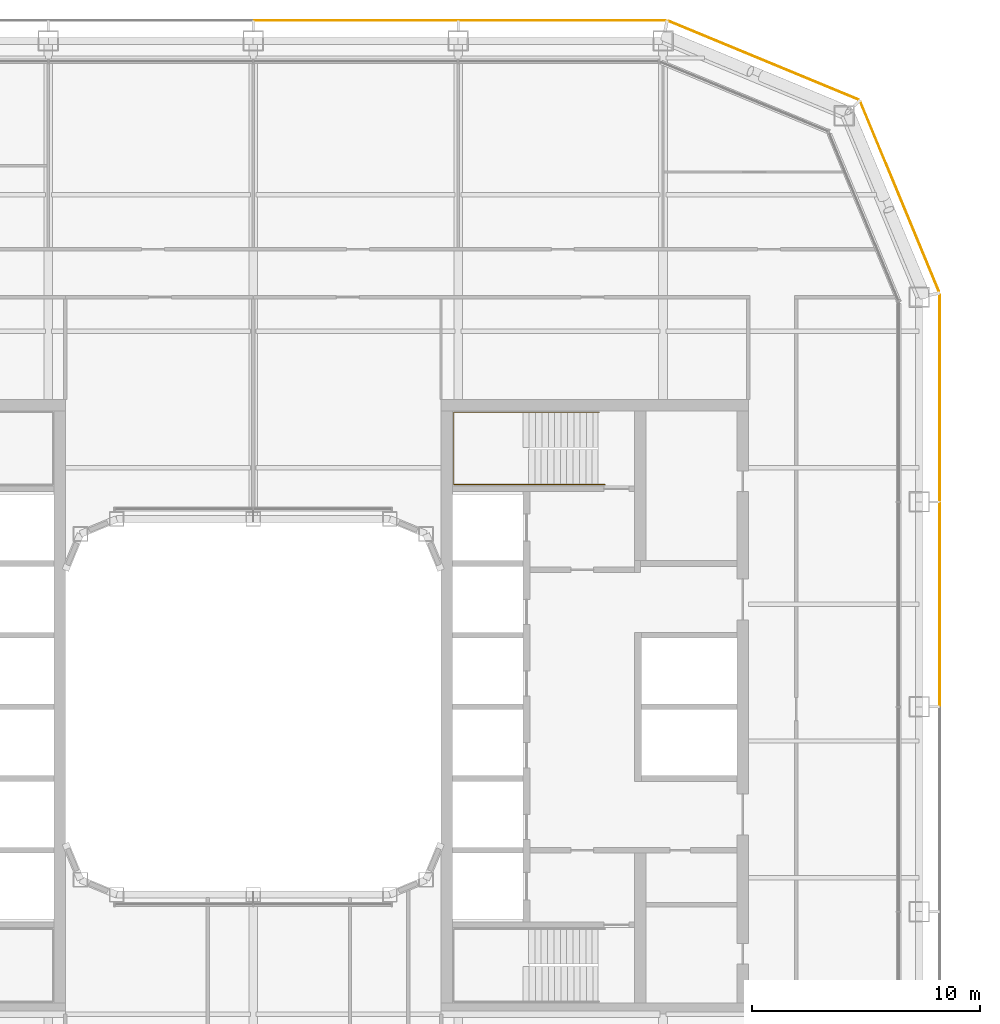
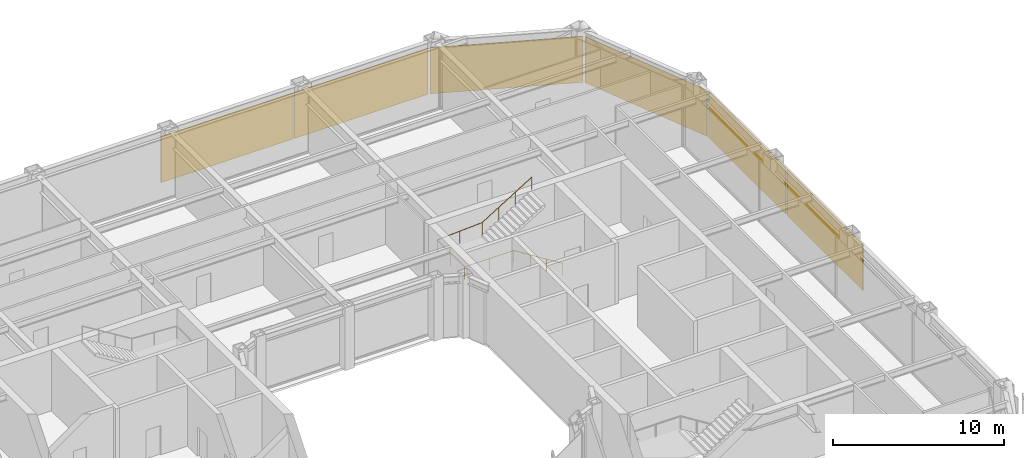
# One storey, part 22 of 23: 6 coverings, 1 railing.
"""IFC4 building model written with IfcOpenShell, lengths in metres."""

import ifcopenshell
import ifcopenshell.guid

model = None  # the IFC model being written
_history = None  # IfcOwnerHistory: only IFC2X3 demands one
_inside = {}  # id of a spatial element -> (the spatial element, [elements in it])
_under = {}  # id of a project, library or spatial element -> (it, [spatial elements below it])
_declared = {}  # id of a project -> (the project, [libraries it declares])
_typed = {}  # id of a type object -> (the type object, [elements of that type])
_made_of = {}  # id of a material, layer set ... -> (it, [elements and type objects made of it])


def new_model(schema):
    """Start an empty IFC model of exactly this schema.

    Asked for "IFC4X3", IfcOpenShell would pick the latest addendum, in which some entities
    have other attributes; the version numbers below select the first issue.
    IFC2X3 requires an IfcOwnerHistory on every rooted entity: one is made here for all.
    """
    global model, _history
    if schema == "IFC4X3":
        model = ifcopenshell.file(schema_version=(4, 3, 0, 0))
    else:
        model = ifcopenshell.file(schema=schema)
    _inside.clear()
    _under.clear()
    _declared.clear()
    _typed.clear()
    _made_of.clear()
    _history = None
    if model.schema == "IFC2X3":
        org = make("IfcOrganization", Name="unknown")
        user = make(
            "IfcPersonAndOrganization",
            ThePerson=make("IfcPerson", FamilyName="unknown"),
            TheOrganization=org,
        )
        app = make(
            "IfcApplication",
            ApplicationDeveloper=org,
            Version="unknown",
            ApplicationFullName="unknown",
            ApplicationIdentifier="unknown",
        )
        _history = make(
            "IfcOwnerHistory",
            OwningUser=user,
            OwningApplication=app,
            ChangeAction="ADDED",
            CreationDate=0,
        )
    return model


def make(cls, **values):
    """One entity of the class cls with the attributes given. An attribute that is None is left unset."""
    return model.create_entity(
        cls, **{name: value for name, value in values.items() if value is not None}
    )


def rooted(cls, **values):
    """An entity with a GlobalId (a new one), such as an element, a storey or a relation."""
    return make(cls, GlobalId=ifcopenshell.guid.new(), OwnerHistory=_history, **values)


def si_unit(unit_type, name, prefix=None):
    """IfcSIUnit, for example si_unit("LENGTHUNIT", "METRE", prefix="MILLI")."""
    return make("IfcSIUnit", UnitType=unit_type, Prefix=prefix, Name=name)


def assignment(units):
    """IfcUnitAssignment: the units of a project."""
    return None if units is None else make("IfcUnitAssignment", Units=units)


def point(xyz):
    """IfcCartesianPoint."""
    return None if xyz is None else make("IfcCartesianPoint", Coordinates=xyz)


def direction(xyz):
    """IfcDirection."""
    return None if xyz is None else make("IfcDirection", DirectionRatios=xyz)


def frame(location, z_axis=None, x_axis=None):
    """IfcAxis2Placement3D, a coordinate frame: its origin and axes. An axis left out is left unset."""
    return make(
        "IfcAxis2Placement3D",
        Location=point(location),
        Axis=direction(z_axis),
        RefDirection=direction(x_axis),
    )


def frame_2d(location, x_axis=None):
    """IfcAxis2Placement2D, a coordinate frame in the plane: its origin and x axis."""
    return make(
        "IfcAxis2Placement2D", Location=point(location), RefDirection=direction(x_axis)
    )


def origin():
    """The frame at (0, 0, 0) with its axes left unset."""
    return frame((0.0, 0.0, 0.0))


def origin_2d():
    """The frame at (0, 0) in the plane with its x axis left unset."""
    return frame_2d((0.0, 0.0))


def place(relative_to, where):
    """IfcLocalPlacement: puts the frame where relative to a parent placement (None: the world)."""
    return make(
        "IfcLocalPlacement", PlacementRelTo=relative_to, RelativePlacement=where
    )


def context(
    kind, dimensions, precision=None, world=None, true_north=None, identifier=None
):
    """IfcGeometricRepresentationContext, for example the 3D "Model" context."""
    return make(
        "IfcGeometricRepresentationContext",
        ContextIdentifier=identifier,
        ContextType=kind,
        CoordinateSpaceDimension=dimensions,
        Precision=precision,
        WorldCoordinateSystem=world,
        TrueNorth=true_north,
    )


def subcontext(parent, identifier, kind, view, scale=None):
    """IfcGeometricRepresentationSubContext, for example "Body" below "Model"."""
    return make(
        "IfcGeometricRepresentationSubContext",
        ContextIdentifier=identifier,
        ContextType=kind,
        ParentContext=parent,
        TargetScale=scale,
        TargetView=view,
    )


def project(units=None, contexts=None):
    """IfcProject with its units and contexts."""
    return rooted(
        "IfcProject",
        Name="project",
        RepresentationContexts=contexts,
        UnitsInContext=assignment(units),
    )


def spatial(cls, under=None, at=None, **own):
    """A site, building, storey or space (cls), placed at a placement, below another one or the project."""
    s = rooted(cls, ObjectPlacement=at, **own)
    if under is not None:
        _under.setdefault(under.id(), (under, []))[1].append(s)
    return s


def profile(cls, at=None, kind="AREA", **sizes):
    """A parametric profile (cls). Its sizes go by their IFC names, for example OverallWidth=200.0."""
    return make(cls, ProfileType=kind, Position=at, **sizes)


def rectangle(**sizes):
    """IfcRectangleProfileDef."""
    return profile("IfcRectangleProfileDef", **sizes)


def circle(**sizes):
    """IfcCircleProfileDef."""
    return profile("IfcCircleProfileDef", **sizes)


def extrude(swept, where, along, depth):
    """IfcExtrudedAreaSolid: the profile swept, set in the frame where, extruded along a direction by depth."""
    return make(
        "IfcExtrudedAreaSolid",
        SweptArea=swept,
        Position=where,
        ExtrudedDirection=direction(along),
        Depth=depth,
    )


def shape(context_of_items, identifier, shape_type, items):
    """IfcShapeRepresentation: the items that make up one representation, for example the "Body"."""
    return make(
        "IfcShapeRepresentation",
        ContextOfItems=context_of_items,
        RepresentationIdentifier=identifier,
        RepresentationType=shape_type,
        Items=items,
    )


def material(Name=None, Category=None):
    """IfcMaterial."""
    return make("IfcMaterial", Name=Name, Category=Category)


def layer(
    of_material, thickness, ventilated=None, Name=None, Category=None, Priority=None
):
    """IfcMaterialLayer: one layer of a wall or slab, of a material (None: an air gap)."""
    return make(
        "IfcMaterialLayer",
        Material=of_material,
        LayerThickness=thickness,
        IsVentilated=ventilated,
        Name=Name,
        Category=Category,
        Priority=Priority,
    )


def layer_set(layers, Name=None):
    """IfcMaterialLayerSet."""
    return make("IfcMaterialLayerSet", MaterialLayers=layers, LayerSetName=Name)


def made_of(thing, what):
    """Note that an element or type object is made of a material, layer set ...; save() writes the relation."""
    if what is not None:
        _made_of.setdefault(what.id(), (what, []))[1].append(thing)
    return thing


def type_object(cls, material=None, **own):
    """A type object (cls), such as IfcWallType, which elements share."""
    return made_of(rooted(cls, **own), material)


def element(
    cls,
    number,
    at=None,
    inside=None,
    cuts=None,
    type_object=None,
    material=None,
    context=None,
    identifier="Body",
    shape_type=None,
    held_by="IfcProductDefinitionShape",
    body=None,
    shapes=None,
    **own,
):
    """One element of the class cls, such as IfcWall. Its Tag is "e" and its number.

    at: its placement. inside: the storey or other place that contains it. cuts: it is an
    opening in that element (IfcRelVoidsElement). A single representation is given by context,
    identifier, shape_type and body (its items); several are given by shapes. held_by: the class
    of the entity that holds the representations. save() writes the other relations.
    """
    e = rooted(cls, Tag="e%d" % number, ObjectPlacement=at, **own)
    if body is not None:
        shapes = [shape(context, identifier, shape_type, body)]
    if shapes is not None:
        e.Representation = make(held_by, Representations=shapes)
    if inside is not None:
        _inside.setdefault(inside.id(), (inside, []))[1].append(e)
    if cuts is not None:
        rooted(
            "IfcRelVoidsElement", RelatingBuildingElement=cuts, RelatedOpeningElement=e
        )
    if type_object is not None:
        _typed.setdefault(type_object.id(), (type_object, []))[1].append(e)
    return made_of(e, material)


def aggregate(whole, parts):
    """IfcRelAggregates: a whole, such as a stair, and the parts it consists of."""
    return rooted("IfcRelAggregates", RelatingObject=whole, RelatedObjects=parts)


def save(model, path):
    """Write the relations noted so far, then the file.

    IfcRelAggregates (storeys below a building ...), IfcRelContainedInSpatialStructure (elements
    in a storey), IfcRelDefinesByType, IfcRelAssociatesMaterial and IfcRelDeclares: one each for
    every whole, place, type object, material and project.
    """
    for whole, parts in _under.values():
        aggregate(whole, parts)
    for where, things in _inside.values():
        rooted(
            "IfcRelContainedInSpatialStructure",
            RelatedElements=things,
            RelatingStructure=where,
        )
    for kind, things in _typed.values():
        rooted("IfcRelDefinesByType", RelatedObjects=things, RelatingType=kind)
    for what, things in _made_of.values():
        rooted("IfcRelAssociatesMaterial", RelatedObjects=things, RelatingMaterial=what)
    for by, libraries in _declared.values():
        rooted("IfcRelDeclares", RelatingContext=by, RelatedDefinitions=libraries)
    model.write(path)


model = new_model("IFC4")

# Units and contexts
model_context = context("Model", 3, precision=1e-05, world=origin(), true_north=direction((0.0, 1.0)))
body_context = subcontext(model_context, "Body", "Model", "MODEL_VIEW")
ifc_project = project(units=[si_unit("LENGTHUNIT", "METRE"), si_unit("AREAUNIT", "SQUARE_METRE"), si_unit("VOLUMEUNIT", "CUBIC_METRE"), si_unit("PLANEANGLEUNIT", "RADIAN"), si_unit("MASSUNIT", "GRAM", prefix="KILO")], contexts=[model_context])

# Site, building, storey
site_placement = place(None, origin())
site = spatial("IfcSite", under=ifc_project, at=site_placement, CompositionType="ELEMENT")
building_placement = place(site_placement, origin())
building = spatial("IfcBuilding", under=site, at=building_placement, Name="Siwar Civic Tower", CompositionType="ELEMENT")
storey_placement = place(building_placement, frame((0.0, 0.0, 163.199951171875)))
storey = spatial("IfcBuildingStorey", under=building, at=storey_placement, Name="L35", CompositionType="ELEMENT", Elevation=163.199951171875)

# Railing
ifc_material_1 = material(Name="Stainless steel", Category="steel")
railing_type = type_object("IfcRailingType", Name="CORE-STAIR-HANDRAIL", PredefinedType="HANDRAIL", material=ifc_material_1)
railing_placement = place(storey_placement, frame((15.449951171875, 9.758056640625, 0.173095703125)))
element("IfcRailing", 1, at=railing_placement, inside=storey, type_object=railing_type, Name="Stair handrail ST3", PredefinedType="HANDRAIL", context=body_context, shape_type="SweptSolid", body=[
    extrude(circle(Radius=0.02001953125, at=origin_2d()), frame((0.0, 0.0, 0.8798828125), z_axis=(-0.847063342986, 0.0, 0.531491950051), x_axis=(0.0, -1.0, 0.0)), (0.0, 0.0, 1.0), 3.90771484375),
    extrude(circle(Radius=0.02001953125, at=origin_2d()), frame((-3.31005859375, 0.0, 2.956787109375), z_axis=(-1.0, 0.0, 0.0), x_axis=(0.0, -1.0, 0.0)), (0.0, 0.0, 1.0), 3.331787109375),
    extrude(circle(Radius=0.02001953125, at=origin_2d()), frame((-6.641845703125, 0.0, 2.956787109375), z_axis=(0.0, 1.0, 0.0), x_axis=(-1.0, 0.0, 0.0)), (0.0, 0.0, 1.0), 3.183837890625),
    extrude(circle(Radius=0.02001953125, at=origin_2d()), frame((-6.641845703125, 3.183837890625, 2.956787109375), z_axis=(0.99837434197, 0.0, 0.056997134106), x_axis=(0.0, 1.0, 0.0)), (0.0, 0.0, 1.0), 3.036865234375),
    extrude(circle(Radius=0.02001953125, at=origin_2d()), frame((-3.60986328125, 3.183837890625, 3.1298828125), z_axis=(0.850606129759, 0.0, 0.525803396734), x_axis=(0.0, 1.0, 0.0)), (0.0, 0.0, 1.0), 3.949951171875),
    extrude(circle(Radius=0.02001953125, at=origin_2d()), origin(), (0.0, 0.0, 1.0), 0.85986328125),
    extrude(circle(Radius=0.02001953125, at=origin_2d()), frame((-1.103271484375, 0.0, 0.6923828125)), (0.0, 0.0, 1.0), 0.85986328125),
    extrude(circle(Radius=0.02001953125, at=origin_2d()), frame((-2.206787109375, 0.0, 1.384521484375)), (0.0, 0.0, 1.0), 0.85986328125),
    extrude(circle(Radius=0.02001953125, at=origin_2d()), frame((-3.31005859375, 0.0, 2.076904296875)), (0.0, 0.0, 1.0), 0.85986328125),
    extrude(circle(Radius=0.02001953125, at=origin_2d()), frame((-4.97607421875, 0.0, 2.076904296875)), (0.0, 0.0, 1.0), 0.85986328125),
    extrude(circle(Radius=0.02001953125, at=origin_2d()), frame((-6.641845703125, 0.0, 2.076904296875)), (0.0, 0.0, 1.0), 0.85986328125),
    extrude(circle(Radius=0.02001953125, at=origin_2d()), frame((-6.641845703125, 1.591796875, 2.076904296875)), (0.0, 0.0, 1.0), 0.85986328125),
    extrude(circle(Radius=0.02001953125, at=origin_2d()), frame((-6.641845703125, 3.183837890625, 2.076904296875)), (0.0, 0.0, 1.0), 0.85986328125),
    extrude(circle(Radius=0.02001953125, at=origin_2d()), frame((-5.1259765625, 3.183837890625, 2.16357421875)), (0.0, 0.0, 1.0), 0.85986328125),
    extrude(circle(Radius=0.02001953125, at=origin_2d()), frame((-3.60986328125, 3.183837890625, 2.25)), (0.0, 0.0, 1.0), 0.85986328125),
    extrude(circle(Radius=0.02001953125, at=origin_2d()), frame((-2.489990234375, 3.183837890625, 2.9423828125)), (0.0, 0.0, 1.0), 0.85986328125),
    extrude(circle(Radius=0.02001953125, at=origin_2d()), frame((-1.369873046875, 3.183837890625, 3.634521484375)), (0.0, 0.0, 1.0), 0.85986328125),
    extrude(circle(Radius=0.02001953125, at=origin_2d()), frame((-0.25, 3.183837890625, 4.326904296875)), (0.0, 0.0, 1.0), 0.85986328125),
])

# Coverings
ifc_material_2 = material(Name="Perforated aluminium cassette, pale metal", Category="aluminium")
ifc_layer = layer(ifc_material_2, 0.0400390625)
ifc_layer_set = layer_set([ifc_layer], Name="Perforated aluminium cassette, pale metal")
covering_type = type_object("IfcCoveringType", Name="ENV-OUTER SKIN OS-1", PredefinedType="CLADDING", material=ifc_layer_set)
covering_1_placement = place(storey_placement, frame((30.14990234375, 4.5, -0.14990234375), z_axis=(0.0, 0.0, 1.0), x_axis=(0.0, 1.0, 0.0)))
element("IfcCovering", 2, at=covering_1_placement, inside=storey, type_object=covering_type, Name="OUTER SKIN OS-1 E 3", PredefinedType="CLADDING", context=body_context, shape_type="SweptSolid", body=[
    extrude(rectangle(XDim=8.89990234375, YDim=0.0400390625, at=origin_2d()), origin(), (0.0, 0.0, 1.0), 3.300048828125),
])
covering_2_placement = place(storey_placement, frame((30.14990234375, 13.57958984375, -0.14990234375), z_axis=(0.0, 0.0, 1.0), x_axis=(0.0, 1.0, 0.0)))
element("IfcCovering", 3, at=covering_2_placement, inside=storey, type_object=covering_type, Name="OUTER SKIN OS-1 E 4", PredefinedType="CLADDING", context=body_context, shape_type="SweptSolid", body=[
    extrude(rectangle(XDim=9.05908203125, YDim=0.0400390625, at=origin_2d()), origin(), (0.0, 0.0, 1.0), 3.300048828125),
])
for number, where, z_axis, x_axis, name in (
    (4, (28.39697265625, 22.411376953125, -0.14990234375), (0.0, 0.0, 1.0), (-0.382683432365, 0.923879532511, 0.0), "OUTER SKIN OS-1 NE1 1"),
    (5, (22.411376953125, 28.39697265625, -0.14990234375), (0.0, 0.0, 1.0), (-0.923879532511, 0.382683432365, 0.0), "OUTER SKIN OS-1 NE2 1"),
):
    element("IfcCovering", number, at=place(storey_placement, frame(where, z_axis=z_axis, x_axis=x_axis)), inside=storey, type_object=covering_type, Name=name, PredefinedType="CLADDING", context=body_context, shape_type="SweptSolid", body=[
        extrude(rectangle(XDim=9.022216796875, YDim=0.0400390625, at=origin_2d()), origin(), (0.0, 0.0, 1.0), 3.300048828125),
    ])
covering_3_placement = place(storey_placement, frame((13.57958984375, 30.14990234375, -0.14990234375), z_axis=(0.0, 0.0, 1.0), x_axis=(-1.0, 0.0, 0.0)))
element("IfcCovering", 6, at=covering_3_placement, inside=storey, type_object=covering_type, Name="OUTER SKIN OS-1 N 1", PredefinedType="CLADDING", context=body_context, shape_type="SweptSolid", body=[
    extrude(rectangle(XDim=9.05908203125, YDim=0.0400390625, at=origin_2d()), origin(), (0.0, 0.0, 1.0), 3.300048828125),
])
covering_4_placement = place(storey_placement, frame((4.5, 30.14990234375, -0.14990234375), z_axis=(0.0, 0.0, 1.0), x_axis=(-1.0, 0.0, 0.0)))
element("IfcCovering", 7, at=covering_4_placement, inside=storey, type_object=covering_type, Name="OUTER SKIN OS-1 N 2", PredefinedType="CLADDING", context=body_context, shape_type="SweptSolid", body=[
    extrude(rectangle(XDim=8.89990234375, YDim=0.0400390625, at=origin_2d()), origin(), (0.0, 0.0, 1.0), 3.300048828125),
])

save(model, "model.ifc")
